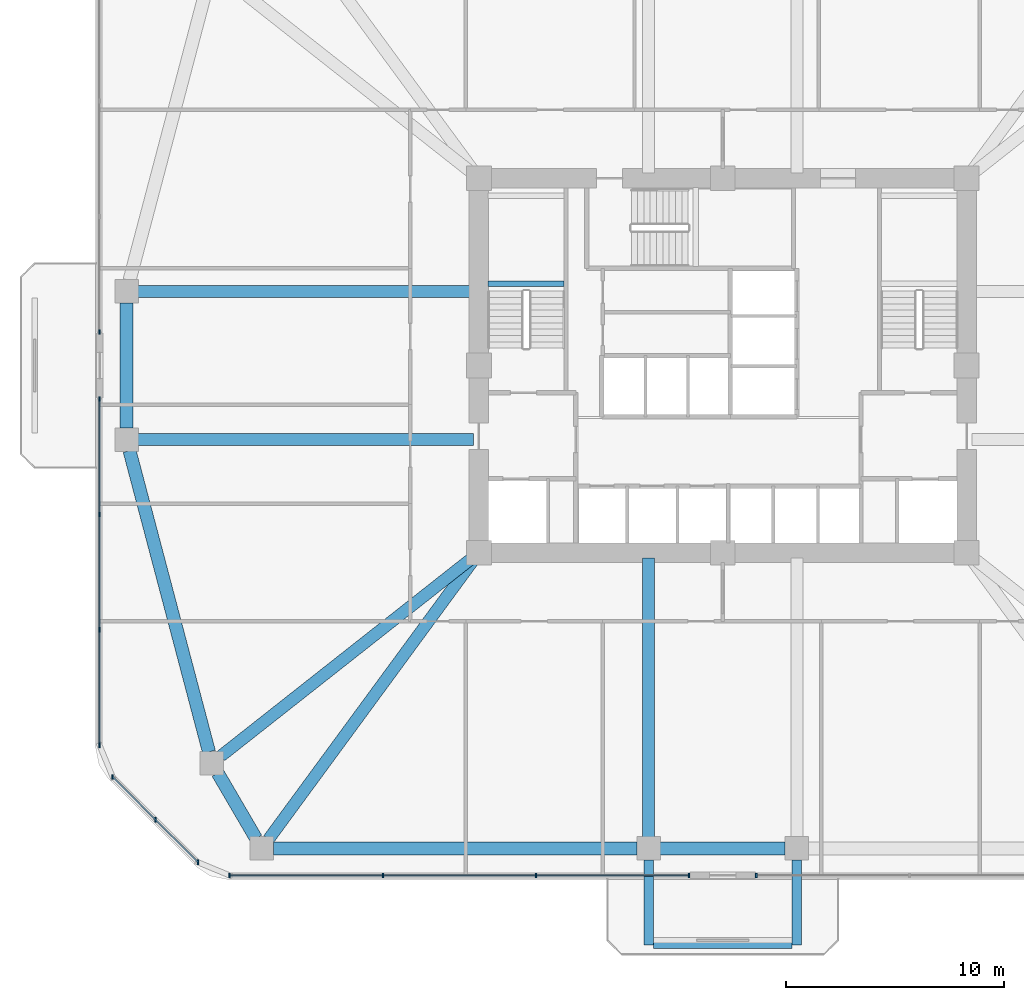
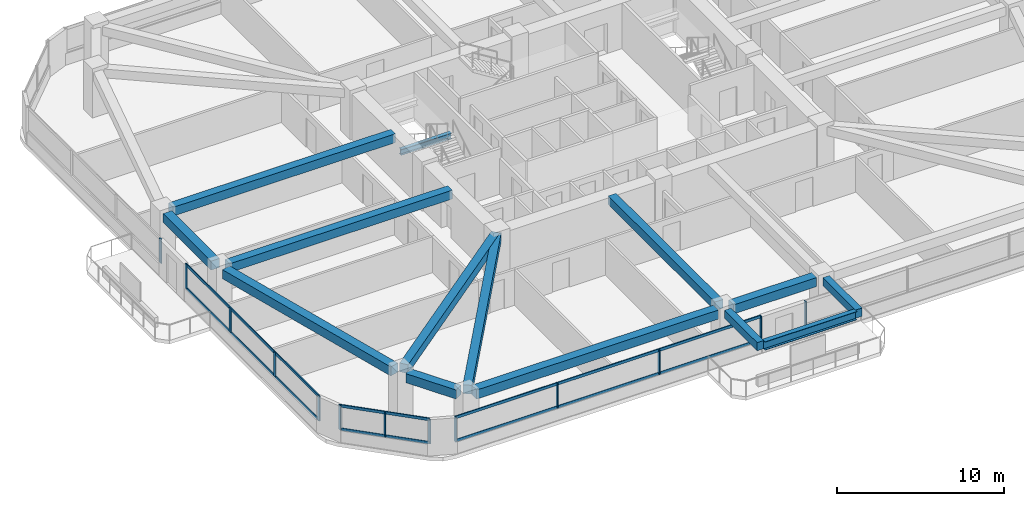
# One storey, part 2 of 13: 19 members, 14 beams, 5 elements without a shape of their own.
"""IFC4 building model written with IfcOpenShell, lengths in metres."""

from ifc_helpers import new_model, si_unit, derived_unit, direction, frame, origin, origin_2d, place, context, subcontext, project, spatial, rectangle, i_section, extrude, material, material_profile, profile_set, type_object, element, aggregate, save


model = new_model("IFC4")

# Units and contexts
model_context = context("Model", 3, precision=1e-05, world=origin(), true_north=direction((0.0, 1.0)))
body_context = subcontext(model_context, "Body", "Model", "MODEL_VIEW")
ifc_project = project(units=[si_unit("LENGTHUNIT", "METRE"), si_unit("AREAUNIT", "SQUARE_METRE"), si_unit("VOLUMEUNIT", "CUBIC_METRE"), si_unit("PLANEANGLEUNIT", "RADIAN"), si_unit("MASSUNIT", "GRAM", prefix="KILO"), derived_unit("THERMALTRANSMITTANCEUNIT", [(si_unit("POWERUNIT", "WATT"), 1), (si_unit("LENGTHUNIT", "METRE"), -2), (si_unit("THERMODYNAMICTEMPERATUREUNIT", "KELVIN"), -1)])], contexts=[model_context])

# Site, building, storey
site_placement = place(None, origin())
site = spatial("IfcSite", under=ifc_project, at=site_placement, CompositionType="ELEMENT")
building_placement = place(site_placement, origin())
building = spatial("IfcBuilding", under=site, at=building_placement, Name="Koralith Skygarden Medical Center", CompositionType="ELEMENT")
storey_placement = place(building_placement, frame((0.0, 0.0, 63.5400390625)))
storey = spatial("IfcBuildingStorey", under=building, at=storey_placement, Name="L16", CompositionType="ELEMENT", Elevation=63.5400390625)

# Curtain wall, members
ifc_material_1 = material(Name="Clear Laminated Glass", Category="glass")
curtain_wall_type = type_object("IfcCurtainWallType", Name="CW-2 Zone 1 Hurricane Unitised Curtain Wall", PredefinedType="NOTDEFINED", material=ifc_material_1)
curtain_wall_1_placement = place(storey_placement, origin())
curtain_wall_1 = element("IfcCurtainWall", 1, at=curtain_wall_1_placement, inside=storey, type_object=curtain_wall_type, Name="Curtain Wall CW-L16-S-L", PredefinedType="NOTDEFINED")
ifc_material_2 = material(Name="Aluminium 6063-T6", Category="aluminium")
ifc_material_profile_1 = material_profile(ifc_material_2, rectangle(XDim=0.071044921875, YDim=0.219970703125, at=origin_2d()), Name="MUL71X220")
ifc_profile_set_1 = profile_set([ifc_material_profile_1], Name="Aluminium 6063-T6")
member_type_1 = type_object("IfcMemberType", Name="CW-2 Extruded Mullion 71x220", PredefinedType="MULLION", material=ifc_profile_set_1)
member_1_placement = place(storey_placement, frame((14.35498046875, 2.47998046875, 0.849853515625), z_axis=(0.0, 0.0, 1.0), x_axis=(1.0, 0.0, 0.0)))
member_1 = element("IfcMember", 2, at=member_1_placement, type_object=member_type_1, Name="CW-L16-S-L Mullion 1", PredefinedType="MULLION", context=body_context, shape_type="SweptSolid", body=[
    extrude(rectangle(XDim=0.071044921875, YDim=0.219970703125, at=origin_2d()), origin(), (0.0, 0.0, 1.0), 1.800048828125),
])
member_2_placement = place(storey_placement, frame((21.389892578125, 2.47998046875, 0.849853515625), z_axis=(0.0, 0.0, 1.0), x_axis=(1.0, 0.0, 0.0)))
member_2 = element("IfcMember", 3, at=member_2_placement, type_object=member_type_1, Name="CW-L16-S-L Mullion 2", PredefinedType="MULLION", context=body_context, shape_type="SweptSolid", body=[
    extrude(rectangle(XDim=0.071044921875, YDim=0.219970703125, at=origin_2d()), origin(), (0.0, 0.0, 1.0), 1.800048828125),
])
member_3_placement = place(storey_placement, frame((28.425048828125, 2.47998046875, 0.849853515625), z_axis=(0.0, 0.0, 1.0), x_axis=(1.0, 0.0, 0.0)))
member_3 = element("IfcMember", 4, at=member_3_placement, type_object=member_type_1, Name="CW-L16-S-L Mullion 3", PredefinedType="MULLION", context=body_context, shape_type="SweptSolid", body=[
    extrude(rectangle(XDim=0.071044921875, YDim=0.219970703125, at=origin_2d()), origin(), (0.0, 0.0, 1.0), 1.800048828125),
])
member_4_placement = place(storey_placement, frame((35.4599609375, 2.47998046875, 0.849853515625), z_axis=(0.0, 0.0, 1.0), x_axis=(1.0, 0.0, 0.0)))
member_4 = element("IfcMember", 5, at=member_4_placement, type_object=member_type_1, Name="CW-L16-S-L Mullion 4", PredefinedType="MULLION", context=body_context, shape_type="SweptSolid", body=[
    extrude(rectangle(XDim=0.071044921875, YDim=0.219970703125, at=origin_2d()), origin(), (0.0, 0.0, 1.0), 1.800048828125),
])

# Curtain wall, member
curtain_wall_2_placement = place(storey_placement, origin())
curtain_wall_2 = element("IfcCurtainWall", 6, at=curtain_wall_2_placement, inside=storey, type_object=curtain_wall_type, Name="Curtain Wall CW-L16-S-R", PredefinedType="NOTDEFINED")
member_5_placement = place(storey_placement, frame((38.5400390625, 2.47998046875, 0.849853515625), z_axis=(0.0, 0.0, 1.0), x_axis=(1.0, 0.0, 0.0)))
member_5 = element("IfcMember", 7, at=member_5_placement, type_object=member_type_1, Name="CW-L16-S-R Mullion 1", PredefinedType="MULLION", context=body_context, shape_type="SweptSolid", body=[
    extrude(rectangle(XDim=0.071044921875, YDim=0.219970703125, at=origin_2d()), origin(), (0.0, 0.0, 1.0), 1.800048828125),
])
aggregate(curtain_wall_2, [member_5])

curtain_wall_3_placement = place(storey_placement, origin())
curtain_wall_3 = element("IfcCurtainWall", 8, at=curtain_wall_3_placement, inside=storey, type_object=curtain_wall_type, Name="Curtain Wall CW-L16-W-L", PredefinedType="NOTDEFINED")
member_6_placement = place(storey_placement, frame((8.3798828125, 27.43994140625, 0.849853515625), z_axis=(0.0, 0.0, 1.0), x_axis=(1.0, 0.0, 0.0)))
member_6 = element("IfcMember", 9, at=member_6_placement, type_object=member_type_1, Name="CW-L16-W-L Mullion 4", PredefinedType="MULLION", context=body_context, shape_type="SweptSolid", body=[
    extrude(rectangle(XDim=0.071044921875, YDim=0.219970703125, at=origin_2d()), origin(), (0.0, 0.0, 1.0), 1.800048828125),
])
aggregate(curtain_wall_3, [member_6])

# Curtain wall, members
curtain_wall_4_placement = place(storey_placement, origin())
curtain_wall_4 = element("IfcCurtainWall", 10, at=curtain_wall_4_placement, inside=storey, type_object=curtain_wall_type, Name="Curtain Wall CW-L16-W-R", PredefinedType="NOTDEFINED")
member_7_placement = place(storey_placement, frame((8.3798828125, 24.360107421875, 0.849853515625), z_axis=(0.0, 0.0, 1.0), x_axis=(1.0, 0.0, 0.0)))
member_7 = element("IfcMember", 11, at=member_7_placement, type_object=member_type_1, Name="CW-L16-W-R Mullion 1", PredefinedType="MULLION", context=body_context, shape_type="SweptSolid", body=[
    extrude(rectangle(XDim=0.071044921875, YDim=0.219970703125, at=origin_2d()), origin(), (0.0, 0.0, 1.0), 1.800048828125),
])
member_8_placement = place(storey_placement, frame((8.3798828125, 19.05810546875, 0.849853515625), z_axis=(0.0, 0.0, 1.0), x_axis=(1.0, 0.0, 0.0)))
member_8 = element("IfcMember", 12, at=member_8_placement, type_object=member_type_1, Name="CW-L16-W-R Mullion 2", PredefinedType="MULLION", context=body_context, shape_type="SweptSolid", body=[
    extrude(rectangle(XDim=0.071044921875, YDim=0.219970703125, at=origin_2d()), origin(), (0.0, 0.0, 1.0), 1.800048828125),
])
member_9_placement = place(storey_placement, frame((8.3798828125, 13.757080078125, 0.849853515625), z_axis=(0.0, 0.0, 1.0), x_axis=(1.0, 0.0, 0.0)))
member_9 = element("IfcMember", 13, at=member_9_placement, type_object=member_type_1, Name="CW-L16-W-R Mullion 3", PredefinedType="MULLION", context=body_context, shape_type="SweptSolid", body=[
    extrude(rectangle(XDim=0.071044921875, YDim=0.219970703125, at=origin_2d()), origin(), (0.0, 0.0, 1.0), 1.800048828125),
])
member_10_placement = place(storey_placement, frame((8.3798828125, 8.455078125, 0.849853515625), z_axis=(0.0, 0.0, 1.0), x_axis=(1.0, 0.0, 0.0)))
member_10 = element("IfcMember", 14, at=member_10_placement, type_object=member_type_1, Name="CW-L16-W-R Mullion 4", PredefinedType="MULLION", context=body_context, shape_type="SweptSolid", body=[
    extrude(rectangle(XDim=0.071044921875, YDim=0.219970703125, at=origin_2d()), origin(), (0.0, 0.0, 1.0), 1.800048828125),
])

curtain_wall_5_placement = place(storey_placement, origin())
curtain_wall_5 = element("IfcCurtainWall", 15, at=curtain_wall_5_placement, inside=storey, type_object=curtain_wall_type, Name="Curtain Wall CW-L16-SW", PredefinedType="NOTDEFINED")
member_11_placement = place(storey_placement, frame((8.98095703125, 7.00390625, 0.849853515625), z_axis=(0.0, 0.0, 1.0), x_axis=(1.0, 0.0, 0.0)))
member_11 = element("IfcMember", 16, at=member_11_placement, type_object=member_type_1, Name="CW-L16-SW Mullion 1", PredefinedType="MULLION", context=body_context, shape_type="SweptSolid", body=[
    extrude(rectangle(XDim=0.071044921875, YDim=0.219970703125, at=origin_2d()), origin(), (0.0, 0.0, 1.0), 1.800048828125),
])
member_12_placement = place(storey_placement, frame((10.94189453125, 5.04296875, 0.849853515625), z_axis=(0.0, 0.0, 1.0), x_axis=(1.0, 0.0, 0.0)))
member_12 = element("IfcMember", 17, at=member_12_placement, type_object=member_type_1, Name="CW-L16-SW Mullion 2", PredefinedType="MULLION", context=body_context, shape_type="SweptSolid", body=[
    extrude(rectangle(XDim=0.071044921875, YDim=0.219970703125, at=origin_2d()), origin(), (0.0, 0.0, 1.0), 1.800048828125),
])
member_13_placement = place(storey_placement, frame((12.904052734375, 3.0810546875, 0.849853515625), z_axis=(0.0, 0.0, 1.0), x_axis=(1.0, 0.0, 0.0)))
member_13 = element("IfcMember", 18, at=member_13_placement, type_object=member_type_1, Name="CW-L16-SW Mullion 3", PredefinedType="MULLION", context=body_context, shape_type="SweptSolid", body=[
    extrude(rectangle(XDim=0.071044921875, YDim=0.219970703125, at=origin_2d()), origin(), (0.0, 0.0, 1.0), 1.800048828125),
])

# Member
ifc_material_profile_2 = material_profile(ifc_material_2, rectangle(XDim=0.06591796875, YDim=0.197998046875, at=origin_2d()), Name="TRN66X198")
ifc_profile_set_2 = profile_set([ifc_material_profile_2], Name="Aluminium 6063-T6")
member_type_2 = type_object("IfcMemberType", Name="CW-2 Thermal Transom 66x198", PredefinedType="USERDEFINED", material=ifc_profile_set_2)
member_14_placement = place(storey_placement, frame((14.35498046875, 2.47998046875, 0.89990234375), z_axis=(1.0, 0.0, 0.0), x_axis=(0.0, 1.0, 0.0)))
member_14 = element("IfcMember", 19, at=member_14_placement, type_object=member_type_2, Name="CW-L16-S-L Transom 1", ObjectType="TRANSOM", PredefinedType="USERDEFINED", context=body_context, shape_type="SweptSolid", body=[
    extrude(rectangle(XDim=0.06591796875, YDim=0.197998046875, at=origin_2d()), origin(), (0.0, 0.0, 1.0), 21.10498046875),
])

member_15_placement = place(storey_placement, frame((14.35498046875, 2.47998046875, 2.599853515625), z_axis=(1.0, 0.0, 0.0), x_axis=(0.0, 1.0, 0.0)))
member_15 = element("IfcMember", 20, at=member_15_placement, type_object=member_type_2, Name="CW-L16-S-L Transom 2", ObjectType="TRANSOM", PredefinedType="USERDEFINED", context=body_context, shape_type="SweptSolid", body=[
    extrude(rectangle(XDim=0.06591796875, YDim=0.197998046875, at=origin_2d()), origin(), (0.0, 0.0, 1.0), 21.10498046875),
])

aggregate(curtain_wall_1, [member_1, member_2, member_3, member_4, member_14, member_15])

member_16_placement = place(storey_placement, frame((8.3798828125, 24.360107421875, 0.89990234375), z_axis=(0.0, -1.0, 0.0), x_axis=(1.0, 0.0, 0.0)))
member_16 = element("IfcMember", 21, at=member_16_placement, type_object=member_type_2, Name="CW-L16-W-R Transom 1", ObjectType="TRANSOM", PredefinedType="USERDEFINED", context=body_context, shape_type="SweptSolid", body=[
    extrude(rectangle(XDim=0.06591796875, YDim=0.197998046875, at=origin_2d()), origin(), (0.0, 0.0, 1.0), 15.905029296875),
])

member_17_placement = place(storey_placement, frame((8.3798828125, 24.360107421875, 2.599853515625), z_axis=(0.0, -1.0, 0.0), x_axis=(1.0, 0.0, 0.0)))
member_17 = element("IfcMember", 22, at=member_17_placement, type_object=member_type_2, Name="CW-L16-W-R Transom 2", ObjectType="TRANSOM", PredefinedType="USERDEFINED", context=body_context, shape_type="SweptSolid", body=[
    extrude(rectangle(XDim=0.06591796875, YDim=0.197998046875, at=origin_2d()), origin(), (0.0, 0.0, 1.0), 15.905029296875),
])

aggregate(curtain_wall_4, [member_7, member_8, member_9, member_10, member_16, member_17])

member_18_placement = place(storey_placement, frame((8.98095703125, 7.00390625, 0.89990234375), z_axis=(0.707128783731, -0.707084777957, 0.0), x_axis=(0.707084777957, 0.707128783731, 0.0)))
member_18 = element("IfcMember", 23, at=member_18_placement, type_object=member_type_2, Name="CW-L16-SW Transom 1", ObjectType="TRANSOM", PredefinedType="USERDEFINED", context=body_context, shape_type="SweptSolid", body=[
    extrude(rectangle(XDim=0.06591796875, YDim=0.197998046875, at=origin_2d()), origin(), (0.0, 0.0, 1.0), 5.5478515625),
])

member_19_placement = place(storey_placement, frame((8.98095703125, 7.00390625, 2.599853515625), z_axis=(0.707128783731, -0.707084777957, 0.0), x_axis=(0.707084777957, 0.707128783731, 0.0)))
member_19 = element("IfcMember", 24, at=member_19_placement, type_object=member_type_2, Name="CW-L16-SW Transom 2", ObjectType="TRANSOM", PredefinedType="USERDEFINED", context=body_context, shape_type="SweptSolid", body=[
    extrude(rectangle(XDim=0.06591796875, YDim=0.197998046875, at=origin_2d()), origin(), (0.0, 0.0, 1.0), 5.5478515625),
])

aggregate(curtain_wall_5, [member_11, member_12, member_13, member_18, member_19])

# Beams
ifc_material_3 = material(Name="Steel ASTM A992 Grade 50", Category="steel")
ifc_material_profile_3 = material_profile(ifc_material_3, i_section(OverallWidth=0.326904296875, OverallDepth=0.6220703125, WebThickness=0.015380859375, FlangeThickness=0.0244140625, at=origin_2d()), Name="W24X131")
ifc_profile_set_3 = profile_set([ifc_material_profile_3], Name="Steel ASTM A992 Grade 50")
beam_type_1 = type_object("IfcBeamType", Name="Cantilever Tie Beam W24X131", PredefinedType="BEAM", material=ifc_profile_set_3)
beam_1_placement = place(storey_placement, frame((33.820068359375, -0.719970703125, 3.029052734375), z_axis=(1.0, 0.0, 0.0), x_axis=(0.0, 1.0, 0.0)))
element("IfcBeam", 25, at=beam_1_placement, inside=storey, type_object=beam_type_1, Name="L17 S Balcony Tip Tie Beam", PredefinedType="BEAM", context=body_context, shape_type="SweptSolid", body=[
    extrude(i_section(OverallWidth=0.326904296875, OverallDepth=0.6220703125, WebThickness=0.015380859375, FlangeThickness=0.0244140625, at=origin_2d()), origin(), (0.0, 0.0, 1.0), 6.35986328125),
])
ifc_material_profile_4 = material_profile(ifc_material_3, i_section(OverallWidth=0.260009765625, OverallDepth=0.4150390625, WebThickness=0.010009765625, FlangeThickness=0.016845703125, at=origin_2d()), Name="W16X67")
ifc_profile_set_4 = profile_set([ifc_material_profile_4], Name="Steel ASTM A992 Grade 50")
beam_type_2 = type_object("IfcBeamType", Name="Clinical Floor Joist W16X67", PredefinedType="JOIST", material=ifc_profile_set_4)
beam_2_placement = place(storey_placement, frame((26.22998046875, 29.659912109375, 1.39306640625), z_axis=(1.0, 0.0, 0.0), x_axis=(0.0, 1.0, 0.0)))
element("IfcBeam", 26, at=beam_2_placement, inside=storey, type_object=beam_type_2, Name="L16 Stair ST1 Half-Landing Support Beam 1A", PredefinedType="JOIST", context=body_context, shape_type="SweptSolid", body=[
    extrude(i_section(OverallWidth=0.260009765625, OverallDepth=0.4150390625, WebThickness=0.010009765625, FlangeThickness=0.016845703125, at=origin_2d()), origin(), (0.0, 0.0, 1.0), 3.489990234375),
])
ifc_material_4 = material(Name="Concrete C45/55", Category="concrete")
ifc_material_profile_5 = material_profile(ifc_material_4, rectangle(XDim=0.449951171875, YDim=0.60009765625, at=origin_2d()), Name="RCB450X600")
ifc_profile_set_5 = profile_set([ifc_material_profile_5], Name="Concrete C45/55")
beam_type_3 = type_object("IfcBeamType", Name="Planted Balcony Cantilever Beam RCB450X600", PredefinedType="BEAM", material=ifc_profile_set_5)
for number, where, z_axis, x_axis, name in (
    (27, (33.60009765625, 3.199951171875, 3.0400390625), (0.0, -1.0, 0.0), (1.0, 0.0, 0.0), "L17 S Balcony Cantilever Beam A"),
    (28, (40.39990234375, 3.199951171875, 3.0400390625), (0.0, -1.0, 0.0), (1.0, 0.0, 0.0), "L17 S Balcony Cantilever Beam B"),
):
    element("IfcBeam", number, at=place(storey_placement, frame(where, z_axis=z_axis, x_axis=x_axis)), inside=storey, type_object=beam_type_3, Name=name, PredefinedType="BEAM", context=body_context, shape_type="SweptSolid", body=[
        extrude(rectangle(XDim=0.449951171875, YDim=0.60009765625, at=origin_2d()), origin(), (0.0, 0.0, 1.0), 3.919921875),
    ])
ifc_material_profile_6 = material_profile(ifc_material_4, rectangle(XDim=0.550048828125, YDim=0.639892578125, at=origin_2d()), Name="RCB550X640")
ifc_profile_set_6 = profile_set([ifc_material_profile_6], Name="Concrete C45/55")
beam_type_4 = type_object("IfcBeamType", Name="Radial Collector Beam RCB550X640", PredefinedType="BEAM", material=ifc_profile_set_6)
beam_3_placement = place(storey_placement, frame((25.550048828125, 22.5, 3.0), z_axis=(-1.0, 0.0, 0.0), x_axis=(0.0, -1.0, 0.0)))
element("IfcBeam", 29, at=beam_3_placement, inside=storey, type_object=beam_type_4, Name="L16 Radial Collector Beam RB-01", PredefinedType="BEAM", context=body_context, shape_type="SweptSolid", body=[
    extrude(rectangle(XDim=0.550048828125, YDim=0.639892578125, at=origin_2d()), origin(), (0.0, 0.0, 1.0), 15.400146484375),
])
beam_4_placement = place(storey_placement, frame((25.60400390625, 17.14501953125, 3.0), z_axis=(-0.785497250365, -0.618865146594, 0.0), x_axis=(0.618865146594, -0.785497250365, 0.0)))
element("IfcBeam", 30, at=beam_4_placement, inside=storey, type_object=beam_type_4, Name="L16 Radial Collector Beam RB-02", PredefinedType="BEAM", context=body_context, shape_type="SweptSolid", body=[
    extrude(rectangle(XDim=0.550048828125, YDim=0.639892578125, at=origin_2d()), origin(), (0.0, 0.0, 1.0), 14.828857421875),
])
beam_5_placement = place(storey_placement, frame((25.652099609375, 17.097900390625, 3.0), z_axis=(-0.591718052249, -0.806144991079, 0.0), x_axis=(0.806144991079, -0.591718052249, 0.0)))
element("IfcBeam", 31, at=beam_5_placement, inside=storey, type_object=beam_type_4, Name="L16 Radial Collector Beam RB-03", PredefinedType="BEAM", context=body_context, shape_type="SweptSolid", body=[
    extrude(rectangle(XDim=0.550048828125, YDim=0.639892578125, at=origin_2d()), origin(), (0.0, 0.0, 1.0), 16.065185546875),
])
beam_6_placement = place(storey_placement, frame((33.60009765625, 17.050048828125, 3.0), z_axis=(0.0, -1.0, 0.0), x_axis=(1.0, 0.0, 0.0)))
element("IfcBeam", 32, at=beam_6_placement, inside=storey, type_object=beam_type_4, Name="L16 Radial Collector Beam RB-04", PredefinedType="BEAM", context=body_context, shape_type="SweptSolid", body=[
    extrude(rectangle(XDim=0.550048828125, YDim=0.639892578125, at=origin_2d()), origin(), (0.0, 0.0, 1.0), 12.800048828125),
])
beam_7_placement = place(storey_placement, frame((25.550048828125, 29.300048828125, 3.0), z_axis=(-1.0, 0.0, 0.0), x_axis=(0.0, -1.0, 0.0)))
element("IfcBeam", 33, at=beam_7_placement, inside=storey, type_object=beam_type_4, Name="L16 Radial Collector Beam RB-16", PredefinedType="BEAM", context=body_context, shape_type="SweptSolid", body=[
    extrude(rectangle(XDim=0.550048828125, YDim=0.639892578125, at=origin_2d()), origin(), (0.0, 0.0, 1.0), 15.400146484375),
])
ifc_material_profile_7 = material_profile(ifc_material_4, rectangle(XDim=0.60009765625, YDim=0.659912109375, at=origin_2d()), Name="RCB600X660")
ifc_profile_set_7 = profile_set([ifc_material_profile_7], Name="Concrete C45/55")
beam_type_5 = type_object("IfcBeamType", Name="Zone 1 Spandrel Beam RCB600X660", PredefinedType="SPANDREL", material=ifc_profile_set_7)
beam_8_placement = place(storey_placement, frame((9.7548828125, 21.988037109375, 2.989990234375), z_axis=(0.255088684842, -0.966917660851, 0.0), x_axis=(0.966917660851, 0.255088684842, 0.0)))
element("IfcBeam", 34, at=beam_8_placement, inside=storey, type_object=beam_type_5, Name="L16 Perimeter Spandrel Beam SP-01", PredefinedType="SPANDREL", context=body_context, shape_type="SweptSolid", body=[
    extrude(rectangle(XDim=0.60009765625, YDim=0.659912109375, at=origin_2d()), origin(), (0.0, 0.0, 1.0), 14.309326171875),
])
beam_9_placement = place(storey_placement, frame((13.80810546875, 7.181884765625, 2.989990234375), z_axis=(0.504638660636, -0.863330656349, 0.0), x_axis=(0.863330656349, 0.504638660636, 0.0)))
element("IfcBeam", 35, at=beam_9_placement, inside=storey, type_object=beam_type_5, Name="L16 Perimeter Spandrel Beam SP-02", PredefinedType="SPANDREL", context=body_context, shape_type="SweptSolid", body=[
    extrude(rectangle(XDim=0.60009765625, YDim=0.659912109375, at=origin_2d()), origin(), (0.0, 0.0, 1.0), 3.4794921875),
])
beam_10_placement = place(storey_placement, frame((16.362060546875, 3.719970703125, 2.989990234375), z_axis=(1.0, 0.0, 0.0), x_axis=(0.0, 1.0, 0.0)))
element("IfcBeam", 36, at=beam_10_placement, inside=storey, type_object=beam_type_5, Name="L16 Perimeter Spandrel Beam SP-03", PredefinedType="SPANDREL", context=body_context, shape_type="SweptSolid", body=[
    extrude(rectangle(XDim=0.60009765625, YDim=0.659912109375, at=origin_2d()), origin(), (0.0, 0.0, 1.0), 16.7080078125),
])
beam_11_placement = place(storey_placement, frame((34.1298828125, 3.719970703125, 2.989990234375), z_axis=(1.0, 0.0, 0.0), x_axis=(0.0, 1.0, 0.0)))
element("IfcBeam", 37, at=beam_11_placement, inside=storey, type_object=beam_type_5, Name="L16 Perimeter Spandrel Beam SP-04", PredefinedType="SPANDREL", context=body_context, shape_type="SweptSolid", body=[
    extrude(rectangle(XDim=0.60009765625, YDim=0.659912109375, at=origin_2d()), origin(), (0.0, 0.0, 1.0), 5.740234375),
])
beam_12_placement = place(storey_placement, frame((9.6201171875, 28.77001953125, 2.989990234375), z_axis=(0.0, -1.0, 0.0), x_axis=(1.0, 0.0, 0.0)))
element("IfcBeam", 38, at=beam_12_placement, inside=storey, type_object=beam_type_5, Name="L16 Perimeter Spandrel Beam SP-16", PredefinedType="SPANDREL", context=body_context, shape_type="SweptSolid", body=[
    extrude(rectangle(XDim=0.60009765625, YDim=0.659912109375, at=origin_2d()), origin(), (0.0, 0.0, 1.0), 5.739990234375),
])

save(model, "model.ifc")
